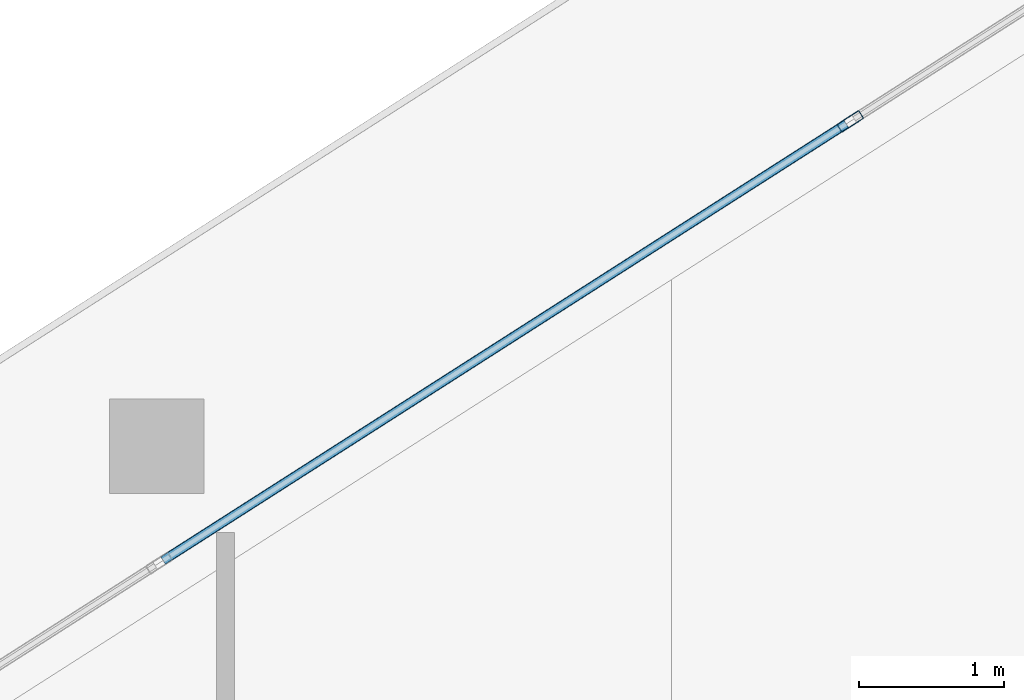
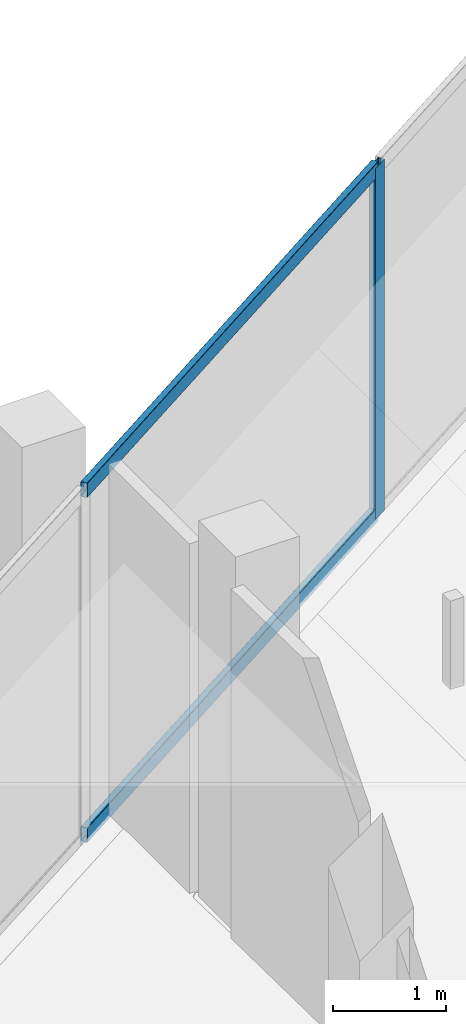
# One storey, part 18 of 37: 3 members, 1 element without a shape of its own.
"""IFC4 building model written with IfcOpenShell, lengths in metres."""

from ifc_helpers import new_model, si_unit, direction, frame, origin, origin_2d, place, context, subcontext, project, spatial, hollow_rectangle, extrude, material, layer, layer_set, material_profile, profile_set, type_object, element, aggregate, save


model = new_model("IFC4")

# Units and contexts
model_context = context("Model", 3, precision=1e-05, world=origin(), true_north=direction((0.0, 1.0)))
body_context = subcontext(model_context, "Body", "Model", "MODEL_VIEW")
ifc_project = project(units=[si_unit("LENGTHUNIT", "METRE"), si_unit("AREAUNIT", "SQUARE_METRE"), si_unit("VOLUMEUNIT", "CUBIC_METRE"), si_unit("PLANEANGLEUNIT", "RADIAN"), si_unit("MASSUNIT", "GRAM", prefix="KILO")], contexts=[model_context])

# Site, building, storey
site_placement = place(None, origin())
site = spatial("IfcSite", under=ifc_project, at=site_placement, CompositionType="ELEMENT")
building_placement = place(site_placement, origin())
building = spatial("IfcBuilding", under=site, at=building_placement, Name="Qorvath Tower", CompositionType="ELEMENT")
storey_placement = place(building_placement, frame((0.0, 0.0, 196.949951171875)))
storey = spatial("IfcBuildingStorey", under=building, at=storey_placement, Name="L45", CompositionType="ELEMENT", Elevation=196.949951171875)

# Curtain wall, members
ifc_material_1 = material(Name="Anodised aluminium and triple low-E glass", Category="aluminium")
ifc_layer = layer(ifc_material_1, 0.179931640625)
ifc_layer_set = layer_set([ifc_layer], Name="CW-SYS-3")
curtain_wall_type = type_object("IfcCurtainWallType", Name="CW-SYS-3", PredefinedType="NOTDEFINED", material=ifc_layer_set)
curtain_wall_placement = place(storey_placement, origin())
curtain_wall = element("IfcCurtainWall", 1, at=curtain_wall_placement, inside=storey, type_object=curtain_wall_type, Name="Curtain Wall CW-3 CW-T-L45-16.1", PredefinedType="NOTDEFINED")
ifc_material_2 = material(Name="Anodised aluminium 6063-T6", Category="aluminium")
ifc_material_profile_1 = material_profile(ifc_material_2, hollow_rectangle(XDim=0.06494140625, YDim=0.179931640625, WallThickness=0.00341796875, InnerFilletRadius=0.00341796875, OuterFilletRadius=0.007080078125, at=origin_2d()), Name="CWM 180x65")
ifc_profile_set_1 = profile_set([ifc_material_profile_1], Name="Anodised aluminium 6063-T6")
member_type_1 = type_object("IfcMemberType", Name="CWM-180", PredefinedType="MULLION", material=ifc_profile_set_1)
member_1_placement = place(storey_placement, frame((-26.247802734375, 21.696044921875, 0.0), z_axis=(0.0, 0.0, 1.0), x_axis=(0.538533623725, -0.842604020948, 0.0)))
member_1 = element("IfcMember", 2, at=member_1_placement, type_object=member_type_1, Name="CW-3 mullion 3", PredefinedType="MULLION", context=body_context, shape_type="SweptSolid", body=[
    extrude(hollow_rectangle(XDim=0.06494140625, YDim=0.179931640625, WallThickness=0.00341796875, InnerFilletRadius=0.00341796875, OuterFilletRadius=0.007080078125, at=origin_2d()), origin(), (0.0, 0.0, 1.0), 3.780029296875),
])
ifc_material_3 = material(Name="Anodised aluminium 6063-T6", Category="aluminium")
ifc_material_profile_2 = material_profile(ifc_material_3, hollow_rectangle(XDim=0.06494140625, YDim=0.159912109375, WallThickness=0.00341796875, InnerFilletRadius=0.00341796875, OuterFilletRadius=0.007080078125, at=origin_2d()), Name="CWT 160x65")
ifc_profile_set_2 = profile_set([ifc_material_profile_2], Name="Anodised aluminium 6063-T6")
member_type_2 = type_object("IfcMemberType", Name="CWT-160", PredefinedType="USERDEFINED", material=ifc_profile_set_2)
member_2_placement = place(storey_placement, frame((-26.275146484375, 21.6787109375, 0.032470703125), z_axis=(-0.842606844645, -0.538529205667, 0.0), x_axis=(0.538529205667, -0.842606844645, 0.0)))
member_2 = element("IfcMember", 3, at=member_2_placement, type_object=member_type_2, Name="CW-3 transom 3.1", ObjectType="TRANSOM", PredefinedType="USERDEFINED", context=body_context, shape_type="SweptSolid", body=[
    extrude(hollow_rectangle(XDim=0.06494140625, YDim=0.159912109375, WallThickness=0.00341796875, InnerFilletRadius=0.00341796875, OuterFilletRadius=0.007080078125, at=origin_2d()), origin(), (0.0, 0.0, 1.0), 5.5751953125),
])
member_3_placement = place(storey_placement, frame((-26.275146484375, 21.6787109375, 3.74755859375), z_axis=(-0.842606844645, -0.538529205667, 0.0), x_axis=(0.538529205667, -0.842606844645, 0.0)))
member_3 = element("IfcMember", 4, at=member_3_placement, type_object=member_type_2, Name="CW-3 transom 3.2", ObjectType="TRANSOM", PredefinedType="USERDEFINED", context=body_context, shape_type="SweptSolid", body=[
    extrude(hollow_rectangle(XDim=0.06494140625, YDim=0.159912109375, WallThickness=0.00341796875, InnerFilletRadius=0.00341796875, OuterFilletRadius=0.007080078125, at=origin_2d()), origin(), (0.0, 0.0, 1.0), 5.5751953125),
])
aggregate(curtain_wall, [member_1, member_2, member_3])

save(model, "model.ifc")
